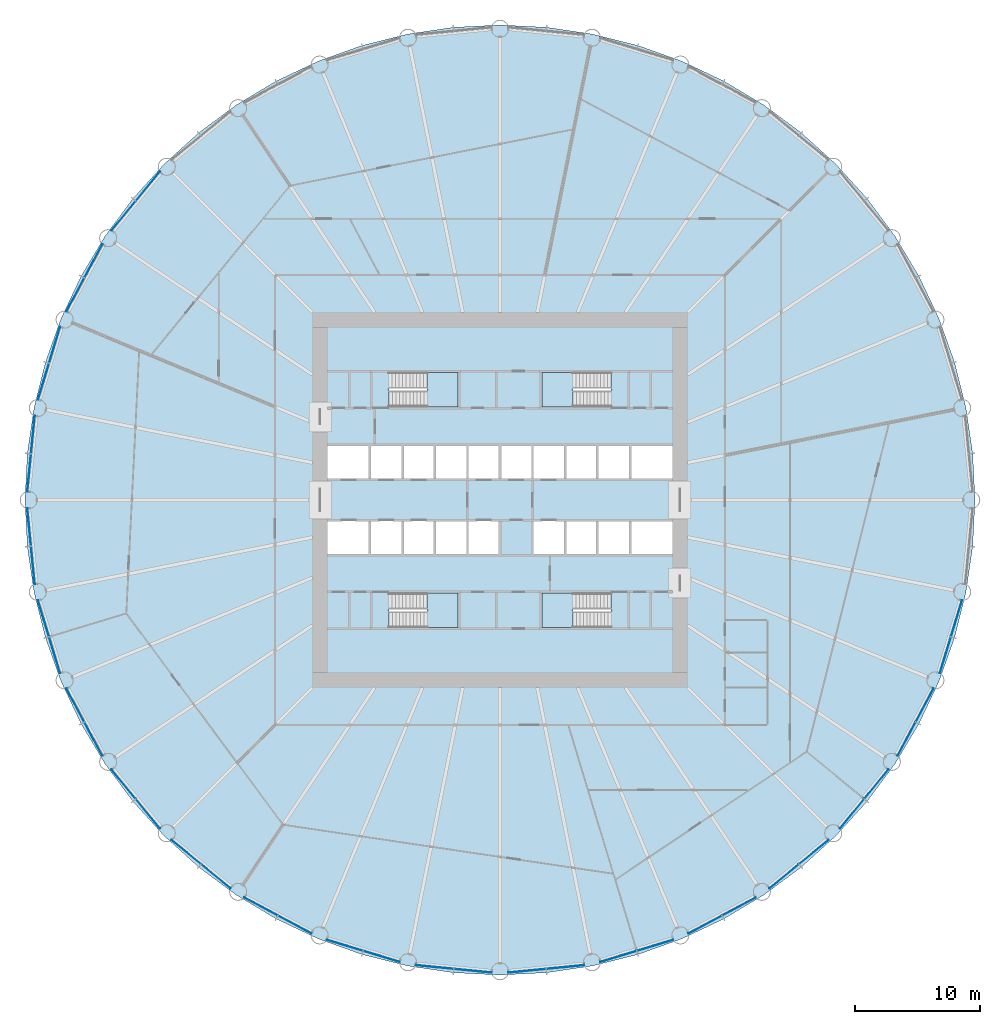
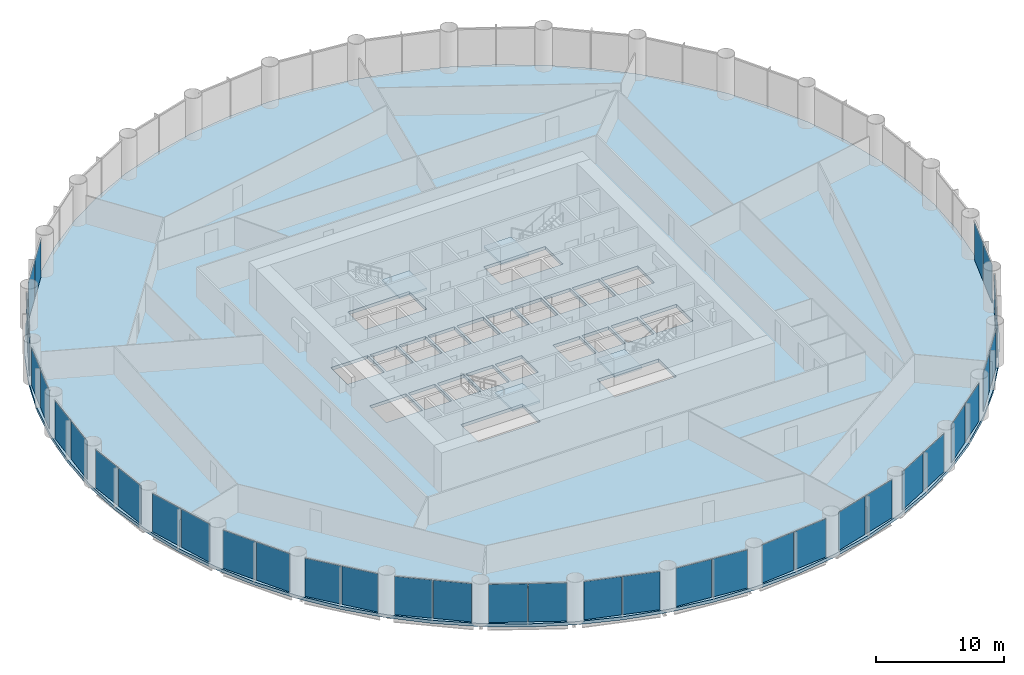
# One storey, part 8 of 15: 38 plates, 5 slabs, 23 elements without a shape of their own.
"""IFC4 building model written with IfcOpenShell, lengths in metres."""

from ifc_helpers import new_model, si_unit, direction, frame, origin, origin_2d, place, context, subcontext, project, spatial, polyline, rectangle, outline, extrude, material, layer, layer_set, type_object, element, aggregate, save


model = new_model("IFC4")

# Units and contexts
model_context = context("Model", 3, precision=1e-05, world=origin(), true_north=direction((0.0, 1.0)))
body_context = subcontext(model_context, "Body", "Model", "MODEL_VIEW")
ifc_project = project(units=[si_unit("LENGTHUNIT", "METRE"), si_unit("AREAUNIT", "SQUARE_METRE"), si_unit("VOLUMEUNIT", "CUBIC_METRE"), si_unit("PLANEANGLEUNIT", "RADIAN"), si_unit("MASSUNIT", "GRAM", prefix="KILO")], contexts=[model_context])

# Site, building, storey
site_placement = place(None, origin())
site = spatial("IfcSite", under=ifc_project, at=site_placement, CompositionType="ELEMENT")
building_placement = place(site_placement, origin())
building = spatial("IfcBuilding", under=site, at=building_placement, Name="Corvane Civic Tower", CompositionType="ELEMENT")
storey_placement = place(building_placement, frame((0.0, 0.0, 69.0)))
storey = spatial("IfcBuildingStorey", under=building, at=storey_placement, Name="L15", CompositionType="ELEMENT", Elevation=69.0)

# Slab
ifc_material_1 = material(Name="Concrete C40/50", Category="concrete")
ifc_layer_1 = layer(ifc_material_1, 0.300048828125)
ifc_layer_set_1 = layer_set([ifc_layer_1], Name="Concrete C40/50")
slab_type_1 = type_object("IfcSlabType", Name="FLOOR SLAB 300", PredefinedType="FLOOR", material=ifc_layer_set_1)
slab_1_placement = place(storey_placement, frame((0.0, 0.0, -0.300048828125)))
element("IfcSlab", 1, at=slab_1_placement, inside=storey, type_object=slab_type_1, Name="SLB-L15", PredefinedType="FLOOR", context=body_context, shape_type="SweptSolid", body=[
    extrude(outline(polyline([(0.0, 38.0), (-3.724609375, 37.817138671875), (-7.413330078125, 37.269775390625), (-11.03076171875, 36.36376953125), (-14.5419921875, 35.107421875), (-17.9130859375, 33.512939453125), (-21.111572265625, 31.595947265625), (-24.10693359375, 29.37451171875), (-26.8701171875, 26.8701171875), (-29.37451171875, 24.10693359375), (-31.595947265625, 21.111572265625), (-33.512939453125, 17.9130859375), (-35.107421875, 14.5419921875), (-36.36376953125, 11.03076171875), (-37.269775390625, 7.413330078125), (-37.817138671875, 3.724609375), (-38.0, 0.0), (-37.817138671875, -3.724609375), (-37.269775390625, -7.413330078125), (-36.36376953125, -11.03076171875), (-35.107421875, -14.5419921875), (-33.512939453125, -17.9130859375), (-31.595947265625, -21.111572265625), (-29.37451171875, -24.10693359375), (-26.8701171875, -26.8701171875), (-24.10693359375, -29.37451171875), (-21.111572265625, -31.595947265625), (-17.9130859375, -33.512939453125), (-14.5419921875, -35.107421875), (-11.03076171875, -36.36376953125), (-7.413330078125, -37.269775390625), (-3.724609375, -37.817138671875), (0.0, -38.0), (3.724609375, -37.817138671875), (7.413330078125, -37.269775390625), (11.03076171875, -36.36376953125), (14.5419921875, -35.107421875), (17.9130859375, -33.512939453125), (21.111572265625, -31.595947265625), (24.10693359375, -29.37451171875), (26.8701171875, -26.8701171875), (29.37451171875, -24.10693359375), (31.595947265625, -21.111572265625), (33.512939453125, -17.9130859375), (35.107421875, -14.5419921875), (36.36376953125, -11.03076171875), (37.269775390625, -7.413330078125), (37.817138671875, -3.724609375), (38.0, 0.0), (37.817138671875, 3.724609375), (37.269775390625, 7.413330078125), (36.36376953125, 11.03076171875), (35.107421875, 14.5419921875), (33.512939453125, 17.9130859375), (31.595947265625, 21.111572265625), (29.37451171875, 24.10693359375), (26.8701171875, 26.8701171875), (24.10693359375, 29.37451171875), (21.111572265625, 31.595947265625), (17.9130859375, 33.512939453125), (14.5419921875, 35.107421875), (11.03076171875, 36.36376953125), (7.413330078125, 37.269775390625), (3.724609375, 37.817138671875), (0.0, 38.0)]), holes=[polyline([(-13.800048828125, 4.300048828125), (-10.5, 4.300048828125), (-10.5, 1.699951171875), (-13.800048828125, 1.699951171875), (-13.800048828125, 4.300048828125)]), polyline([(-7.89990234375, 1.699951171875), (-10.300048828125, 1.699951171875), (-10.300048828125, 4.300048828125), (-7.89990234375, 4.300048828125), (-7.89990234375, 1.699951171875)]), polyline([(-7.699951171875, 4.300048828125), (-5.300048828125, 4.300048828125), (-5.300048828125, 1.699951171875), (-7.699951171875, 1.699951171875), (-7.699951171875, 4.300048828125)]), polyline([(-2.699951171875, 1.699951171875), (-5.10009765625, 1.699951171875), (-5.10009765625, 4.300048828125), (-2.699951171875, 4.300048828125), (-2.699951171875, 1.699951171875)]), polyline([(-2.5, 4.300048828125), (-0.10009765625, 4.300048828125), (-0.10009765625, 1.699951171875), (-2.5, 1.699951171875), (-2.5, 4.300048828125)]), polyline([(0.10009765625, 4.300048828125), (2.5, 4.300048828125), (2.5, 1.699951171875), (0.10009765625, 1.699951171875), (0.10009765625, 4.300048828125)]), polyline([(2.699951171875, 4.300048828125), (5.10009765625, 4.300048828125), (5.10009765625, 1.699951171875), (2.699951171875, 1.699951171875), (2.699951171875, 4.300048828125)]), polyline([(5.300048828125, 4.300048828125), (7.699951171875, 4.300048828125), (7.699951171875, 1.699951171875), (5.300048828125, 1.699951171875), (5.300048828125, 4.300048828125)]), polyline([(7.89990234375, 4.300048828125), (10.300048828125, 4.300048828125), (10.300048828125, 1.699951171875), (7.89990234375, 1.699951171875), (7.89990234375, 4.300048828125)]), polyline([(13.800048828125, 1.699951171875), (10.5, 1.699951171875), (10.5, 4.300048828125), (13.800048828125, 4.300048828125), (13.800048828125, 1.699951171875)]), polyline([(-13.800048828125, -1.699951171875), (-10.5, -1.699951171875), (-10.5, -4.300048828125), (-13.800048828125, -4.300048828125), (-13.800048828125, -1.699951171875)]), polyline([(-10.300048828125, -4.300048828125), (-10.300048828125, -1.699951171875), (-7.89990234375, -1.699951171875), (-7.89990234375, -4.300048828125), (-10.300048828125, -4.300048828125)]), polyline([(-7.699951171875, -1.699951171875), (-5.300048828125, -1.699951171875), (-5.300048828125, -4.300048828125), (-7.699951171875, -4.300048828125), (-7.699951171875, -1.699951171875)]), polyline([(-5.10009765625, -1.699951171875), (-2.699951171875, -1.699951171875), (-2.699951171875, -4.300048828125), (-5.10009765625, -4.300048828125), (-5.10009765625, -1.699951171875)]), polyline([(-2.5, -1.699951171875), (-0.10009765625, -1.699951171875), (-0.10009765625, -4.300048828125), (-2.5, -4.300048828125), (-2.5, -1.699951171875)]), polyline([(2.699951171875, -1.699951171875), (5.10009765625, -1.699951171875), (5.10009765625, -4.300048828125), (2.699951171875, -4.300048828125), (2.699951171875, -1.699951171875)]), polyline([(5.300048828125, -4.300048828125), (5.300048828125, -1.699951171875), (7.699951171875, -1.699951171875), (7.699951171875, -4.300048828125), (5.300048828125, -4.300048828125)]), polyline([(7.89990234375, -4.300048828125), (7.89990234375, -1.699951171875), (10.300048828125, -1.699951171875), (10.300048828125, -4.300048828125), (7.89990234375, -4.300048828125)]), polyline([(13.800048828125, -4.300048828125), (10.5, -4.300048828125), (10.5, -1.699951171875), (13.800048828125, -1.699951171875), (13.800048828125, -4.300048828125)]), polyline([(8.889892578125, 10.199951171875), (8.889892578125, 7.449951171875), (3.35009765625, 7.449951171875), (3.35009765625, 10.199951171875), (8.889892578125, 10.199951171875)]), polyline([(-8.889892578125, 7.449951171875), (-8.889892578125, 10.199951171875), (-3.35009765625, 10.199951171875), (-3.35009765625, 7.449951171875), (-8.889892578125, 7.449951171875)]), polyline([(8.889892578125, -7.449951171875), (8.889892578125, -10.199951171875), (3.35009765625, -10.199951171875), (3.35009765625, -7.449951171875), (8.889892578125, -7.449951171875)]), polyline([(-8.889892578125, -10.199951171875), (-8.889892578125, -7.449951171875), (-3.35009765625, -7.449951171875), (-3.35009765625, -10.199951171875), (-8.889892578125, -10.199951171875)])]), origin(), (0.0, 0.0, 1.0), 0.300048828125),
])

# Stair, slab
ifc_material_2 = material(Name="Concrete C40/50", Category="concrete")
stair_type = type_object("IfcStairType", Name="ST-STAIR-HALFTURN", PredefinedType="HALF_TURN_STAIR", material=ifc_material_2)
stair_1_placement = place(storey_placement, origin())
stair_1 = element("IfcStair", 2, at=stair_1_placement, inside=storey, type_object=stair_type, Name="L15 Exit stair ST1", PredefinedType="HALF_TURN_STAIR")
ifc_material_3 = material(Name="Concrete C40/50", Category="concrete")
ifc_layer_2 = layer(ifc_material_3, 0.199951171875)
ifc_layer_set_2 = layer_set([ifc_layer_2], Name="Concrete C40/50")
slab_type_2 = type_object("IfcSlabType", Name="ST-LANDING-RC", PredefinedType="LANDING", material=ifc_layer_set_2)
slab_2_placement = place(storey_placement, frame((0.0, 0.0, 1.800048828125)))
slab_2 = element("IfcSlab", 3, at=slab_2_placement, type_object=slab_type_2, Name="ST1 landing 1", PredefinedType="LANDING", context=body_context, shape_type="SweptSolid", body=[
    extrude(outline(polyline([(5.820068359375, 10.199951171875), (3.35009765625, 10.199951171875), (3.35009765625, 7.449951171875), (5.820068359375, 7.449951171875), (5.820068359375, 10.199951171875)])), origin(), (0.0, 0.0, 1.0), 0.199951171875),
])
aggregate(stair_1, [slab_2])

stair_2_placement = place(storey_placement, origin())
stair_2 = element("IfcStair", 4, at=stair_2_placement, inside=storey, type_object=stair_type, Name="L15 Exit stair ST2", PredefinedType="HALF_TURN_STAIR")
slab_3_placement = place(storey_placement, frame((0.0, 0.0, 1.800048828125)))
slab_3 = element("IfcSlab", 5, at=slab_3_placement, type_object=slab_type_2, Name="ST2 landing 1", PredefinedType="LANDING", context=body_context, shape_type="SweptSolid", body=[
    extrude(outline(polyline([(5.820068359375, -7.449951171875), (3.35009765625, -7.449951171875), (3.35009765625, -10.199951171875), (5.820068359375, -10.199951171875), (5.820068359375, -7.449951171875)])), origin(), (0.0, 0.0, 1.0), 0.199951171875),
])
aggregate(stair_2, [slab_3])

stair_3_placement = place(storey_placement, origin())
stair_3 = element("IfcStair", 6, at=stair_3_placement, inside=storey, type_object=stair_type, Name="L15 Exit stair ST3", PredefinedType="HALF_TURN_STAIR")
slab_4_placement = place(storey_placement, frame((0.0, 0.0, 1.800048828125)))
slab_4 = element("IfcSlab", 7, at=slab_4_placement, type_object=slab_type_2, Name="ST3 landing 1", PredefinedType="LANDING", context=body_context, shape_type="SweptSolid", body=[
    extrude(outline(polyline([(-5.820068359375, -10.199951171875), (-3.35009765625, -10.199951171875), (-3.35009765625, -7.449951171875), (-5.820068359375, -7.449951171875), (-5.820068359375, -10.199951171875)])), origin(), (0.0, 0.0, 1.0), 0.199951171875),
])
aggregate(stair_3, [slab_4])

stair_4_placement = place(storey_placement, origin())
stair_4 = element("IfcStair", 8, at=stair_4_placement, inside=storey, type_object=stair_type, Name="L15 Exit stair ST4", PredefinedType="HALF_TURN_STAIR")
slab_5_placement = place(storey_placement, frame((0.0, 0.0, 1.800048828125)))
slab_5 = element("IfcSlab", 9, at=slab_5_placement, type_object=slab_type_2, Name="ST4 landing 1", PredefinedType="LANDING", context=body_context, shape_type="SweptSolid", body=[
    extrude(outline(polyline([(-5.820068359375, 7.449951171875), (-3.35009765625, 7.449951171875), (-3.35009765625, 10.199951171875), (-5.820068359375, 10.199951171875), (-5.820068359375, 7.449951171875)])), origin(), (0.0, 0.0, 1.0), 0.199951171875),
])
aggregate(stair_4, [slab_5])

# Curtain wall, plates
ifc_material_4 = material(Name="Anodised aluminium bronze", Category="aluminium")
curtain_wall_type = type_object("IfcCurtainWallType", Name="TOWER CW-T1 STICK CURTAIN WALL", PredefinedType="NOTDEFINED", material=ifc_material_4)
curtain_wall_1_placement = place(storey_placement, origin())
curtain_wall_1 = element("IfcCurtainWall", 10, at=curtain_wall_1_placement, inside=storey, type_object=curtain_wall_type, Name="Curtain wall CW-T1 L15 bay 10", PredefinedType="NOTDEFINED")
ifc_material_5 = material(Name="Tinted glass", Category="glass")
ifc_layer_3 = layer(ifc_material_5, 0.035888671875)
ifc_layer_set_3 = layer_set([ifc_layer_3], Name="Tinted glass")
plate_type = type_object("IfcPlateType", Name="TOWER CW-T1 PANEL IGU36", PredefinedType="CURTAIN_PANEL", material=ifc_layer_set_3)
plate_1_placement = place(storey_placement, frame((36.522705078125, -9.46533203125, 0.0), z_axis=(0.0, 0.0, 1.0), x_axis=(-0.290278397654, -0.956942240606, 0.0)))
plate_1 = element("IfcPlate", 11, at=plate_1_placement, type_object=plate_type, Name="Glass panel CW-T1 L15 10.1", PredefinedType="CURTAIN_PANEL", context=body_context, shape_type="SweptSolid", body=[
    extrude(rectangle(XDim=3.008544921875, YDim=0.035888671875, at=origin_2d()), origin(), (0.0, 0.0, 1.0), 3.6298828125),
])
plate_2_placement = place(storey_placement, frame((35.6259765625, -12.4208984375, 0.0), z_axis=(0.0, 0.0, 1.0), x_axis=(-0.290278397654, -0.956942240606, 0.0)))
plate_2 = element("IfcPlate", 12, at=plate_2_placement, type_object=plate_type, Name="Glass panel CW-T1 L15 10.2", PredefinedType="CURTAIN_PANEL", context=body_context, shape_type="SweptSolid", body=[
    extrude(rectangle(XDim=3.008544921875, YDim=0.035888671875, at=origin_2d()), origin(), (0.0, 0.0, 1.0), 3.6298828125),
])
aggregate(curtain_wall_1, [plate_1, plate_2])

curtain_wall_2_placement = place(storey_placement, origin())
curtain_wall_2 = element("IfcCurtainWall", 13, at=curtain_wall_2_placement, inside=storey, type_object=curtain_wall_type, Name="Curtain wall CW-T1 L15 bay 11", PredefinedType="NOTDEFINED")
plate_3_placement = place(storey_placement, frame((33.974365234375, -16.40869140625, 0.0), z_axis=(0.0, 0.0, 1.0), x_axis=(-0.471403725359, -0.881917528864, 0.0)))
plate_3 = element("IfcPlate", 14, at=plate_3_placement, type_object=plate_type, Name="Glass panel CW-T1 L15 11.1", PredefinedType="CURTAIN_PANEL", context=body_context, shape_type="SweptSolid", body=[
    extrude(rectangle(XDim=3.008544921875, YDim=0.035888671875, at=origin_2d()), origin(), (0.0, 0.0, 1.0), 3.6298828125),
])
plate_4_placement = place(storey_placement, frame((32.518310546875, -19.132568359375, 0.0), z_axis=(0.0, 0.0, 1.0), x_axis=(-0.471403725359, -0.881917528864, 0.0)))
plate_4 = element("IfcPlate", 15, at=plate_4_placement, type_object=plate_type, Name="Glass panel CW-T1 L15 11.2", PredefinedType="CURTAIN_PANEL", context=body_context, shape_type="SweptSolid", body=[
    extrude(rectangle(XDim=3.008544921875, YDim=0.035888671875, at=origin_2d()), origin(), (0.0, 0.0, 1.0), 3.6298828125),
])
aggregate(curtain_wall_2, [plate_3, plate_4])

curtain_wall_3_placement = place(storey_placement, origin())
curtain_wall_3 = element("IfcCurtainWall", 16, at=curtain_wall_3_placement, inside=storey, type_object=curtain_wall_type, Name="Curtain wall CW-T1 L15 bay 12", PredefinedType="NOTDEFINED")
plate_5_placement = place(storey_placement, frame((30.120361328125, -22.721435546875, 0.0), z_axis=(0.0, 0.0, 1.0), x_axis=(-0.634397218569, -0.773007224463, 0.0)))
plate_5 = element("IfcPlate", 17, at=plate_5_placement, type_object=plate_type, Name="Glass panel CW-T1 L15 12.1", PredefinedType="CURTAIN_PANEL", context=body_context, shape_type="SweptSolid", body=[
    extrude(rectangle(XDim=3.008544921875, YDim=0.035888671875, at=origin_2d()), origin(), (0.0, 0.0, 1.0), 3.6298828125),
])
plate_6_placement = place(storey_placement, frame((28.160888671875, -25.10888671875, 0.0), z_axis=(0.0, 0.0, 1.0), x_axis=(-0.634397218569, -0.773007224463, 0.0)))
plate_6 = element("IfcPlate", 18, at=plate_6_placement, type_object=plate_type, Name="Glass panel CW-T1 L15 12.2", PredefinedType="CURTAIN_PANEL", context=body_context, shape_type="SweptSolid", body=[
    extrude(rectangle(XDim=3.008544921875, YDim=0.035888671875, at=origin_2d()), origin(), (0.0, 0.0, 1.0), 3.6298828125),
])
aggregate(curtain_wall_3, [plate_5, plate_6])

curtain_wall_4_placement = place(storey_placement, origin())
curtain_wall_4 = element("IfcCurtainWall", 19, at=curtain_wall_4_placement, inside=storey, type_object=curtain_wall_type, Name="Curtain wall CW-T1 L15 bay 13", PredefinedType="NOTDEFINED")
plate_7_placement = place(storey_placement, frame((25.10888671875, -28.160888671875, 0.0), z_axis=(0.0, 0.0, 1.0), x_axis=(-0.773007224463, -0.634397218569, 0.0)))
plate_7 = element("IfcPlate", 20, at=plate_7_placement, type_object=plate_type, Name="Glass panel CW-T1 L15 13.1", PredefinedType="CURTAIN_PANEL", context=body_context, shape_type="SweptSolid", body=[
    extrude(rectangle(XDim=3.008544921875, YDim=0.035888671875, at=origin_2d()), origin(), (0.0, 0.0, 1.0), 3.6298828125),
])
plate_8_placement = place(storey_placement, frame((22.721435546875, -30.120361328125, 0.0), z_axis=(0.0, 0.0, 1.0), x_axis=(-0.773007224463, -0.634397218569, 0.0)))
plate_8 = element("IfcPlate", 21, at=plate_8_placement, type_object=plate_type, Name="Glass panel CW-T1 L15 13.2", PredefinedType="CURTAIN_PANEL", context=body_context, shape_type="SweptSolid", body=[
    extrude(rectangle(XDim=3.008544921875, YDim=0.035888671875, at=origin_2d()), origin(), (0.0, 0.0, 1.0), 3.6298828125),
])
aggregate(curtain_wall_4, [plate_7, plate_8])

curtain_wall_5_placement = place(storey_placement, origin())
curtain_wall_5 = element("IfcCurtainWall", 22, at=curtain_wall_5_placement, inside=storey, type_object=curtain_wall_type, Name="Curtain wall CW-T1 L15 bay 14", PredefinedType="NOTDEFINED")
plate_9_placement = place(storey_placement, frame((19.132568359375, -32.518310546875, 0.0), z_axis=(0.0, 0.0, 1.0), x_axis=(-0.881917528864, -0.471403725359, 0.0)))
plate_9 = element("IfcPlate", 23, at=plate_9_placement, type_object=plate_type, Name="Glass panel CW-T1 L15 14.1", PredefinedType="CURTAIN_PANEL", context=body_context, shape_type="SweptSolid", body=[
    extrude(rectangle(XDim=3.008544921875, YDim=0.035888671875, at=origin_2d()), origin(), (0.0, 0.0, 1.0), 3.6298828125),
])
plate_10_placement = place(storey_placement, frame((16.40869140625, -33.974365234375, 0.0), z_axis=(0.0, 0.0, 1.0), x_axis=(-0.881917528864, -0.471403725359, 0.0)))
plate_10 = element("IfcPlate", 24, at=plate_10_placement, type_object=plate_type, Name="Glass panel CW-T1 L15 14.2", PredefinedType="CURTAIN_PANEL", context=body_context, shape_type="SweptSolid", body=[
    extrude(rectangle(XDim=3.008544921875, YDim=0.035888671875, at=origin_2d()), origin(), (0.0, 0.0, 1.0), 3.6298828125),
])
aggregate(curtain_wall_5, [plate_9, plate_10])

curtain_wall_6_placement = place(storey_placement, origin())
curtain_wall_6 = element("IfcCurtainWall", 25, at=curtain_wall_6_placement, inside=storey, type_object=curtain_wall_type, Name="Curtain wall CW-T1 L15 bay 15", PredefinedType="NOTDEFINED")
plate_11_placement = place(storey_placement, frame((12.4208984375, -35.6259765625, 0.0), z_axis=(0.0, 0.0, 1.0), x_axis=(-0.956942240606, -0.290278397654, 0.0)))
plate_11 = element("IfcPlate", 26, at=plate_11_placement, type_object=plate_type, Name="Glass panel CW-T1 L15 15.1", PredefinedType="CURTAIN_PANEL", context=body_context, shape_type="SweptSolid", body=[
    extrude(rectangle(XDim=3.008544921875, YDim=0.035888671875, at=origin_2d()), origin(), (0.0, 0.0, 1.0), 3.6298828125),
])
plate_12_placement = place(storey_placement, frame((9.46533203125, -36.522705078125, 0.0), z_axis=(0.0, 0.0, 1.0), x_axis=(-0.956942240606, -0.290278397654, 0.0)))
plate_12 = element("IfcPlate", 27, at=plate_12_placement, type_object=plate_type, Name="Glass panel CW-T1 L15 15.2", PredefinedType="CURTAIN_PANEL", context=body_context, shape_type="SweptSolid", body=[
    extrude(rectangle(XDim=3.008544921875, YDim=0.035888671875, at=origin_2d()), origin(), (0.0, 0.0, 1.0), 3.6298828125),
])
aggregate(curtain_wall_6, [plate_11, plate_12])

curtain_wall_7_placement = place(storey_placement, origin())
curtain_wall_7 = element("IfcCurtainWall", 28, at=curtain_wall_7_placement, inside=storey, type_object=curtain_wall_type, Name="Curtain wall CW-T1 L15 bay 16", PredefinedType="NOTDEFINED")
plate_13_placement = place(storey_placement, frame((5.23193359375, -37.36474609375, 0.0), z_axis=(0.0, 0.0, 1.0), x_axis=(-0.995185800248, -0.098006239521, 0.0)))
plate_13 = element("IfcPlate", 29, at=plate_13_placement, type_object=plate_type, Name="Glass panel CW-T1 L15 16.1", PredefinedType="CURTAIN_PANEL", context=body_context, shape_type="SweptSolid", body=[
    extrude(rectangle(XDim=3.008544921875, YDim=0.035888671875, at=origin_2d()), origin(), (0.0, 0.0, 1.0), 3.6298828125),
])
plate_14_placement = place(storey_placement, frame((2.158203125, -37.667236328125, 0.0), z_axis=(0.0, 0.0, 1.0), x_axis=(-0.995185800248, -0.098006239521, 0.0)))
plate_14 = element("IfcPlate", 30, at=plate_14_placement, type_object=plate_type, Name="Glass panel CW-T1 L15 16.2", PredefinedType="CURTAIN_PANEL", context=body_context, shape_type="SweptSolid", body=[
    extrude(rectangle(XDim=3.008544921875, YDim=0.035888671875, at=origin_2d()), origin(), (0.0, 0.0, 1.0), 3.6298828125),
])
aggregate(curtain_wall_7, [plate_13, plate_14])

curtain_wall_8_placement = place(storey_placement, origin())
curtain_wall_8 = element("IfcCurtainWall", 31, at=curtain_wall_8_placement, inside=storey, type_object=curtain_wall_type, Name="Curtain wall CW-T1 L15 bay 17", PredefinedType="NOTDEFINED")
plate_15_placement = place(storey_placement, frame((-2.158203125, -37.667236328125, 0.0), z_axis=(0.0, 0.0, 1.0), x_axis=(-0.995185800248, 0.098006239521, 0.0)))
plate_15 = element("IfcPlate", 32, at=plate_15_placement, type_object=plate_type, Name="Glass panel CW-T1 L15 17.1", PredefinedType="CURTAIN_PANEL", context=body_context, shape_type="SweptSolid", body=[
    extrude(rectangle(XDim=3.008544921875, YDim=0.035888671875, at=origin_2d()), origin(), (0.0, 0.0, 1.0), 3.6298828125),
])
plate_16_placement = place(storey_placement, frame((-5.23193359375, -37.36474609375, 0.0), z_axis=(0.0, 0.0, 1.0), x_axis=(-0.995185800248, 0.098006239521, 0.0)))
plate_16 = element("IfcPlate", 33, at=plate_16_placement, type_object=plate_type, Name="Glass panel CW-T1 L15 17.2", PredefinedType="CURTAIN_PANEL", context=body_context, shape_type="SweptSolid", body=[
    extrude(rectangle(XDim=3.008544921875, YDim=0.035888671875, at=origin_2d()), origin(), (0.0, 0.0, 1.0), 3.6298828125),
])
aggregate(curtain_wall_8, [plate_15, plate_16])

curtain_wall_9_placement = place(storey_placement, origin())
curtain_wall_9 = element("IfcCurtainWall", 34, at=curtain_wall_9_placement, inside=storey, type_object=curtain_wall_type, Name="Curtain wall CW-T1 L15 bay 18", PredefinedType="NOTDEFINED")
plate_17_placement = place(storey_placement, frame((-9.46533203125, -36.522705078125, 0.0), z_axis=(0.0, 0.0, 1.0), x_axis=(-0.956942240606, 0.290278397654, 0.0)))
plate_17 = element("IfcPlate", 35, at=plate_17_placement, type_object=plate_type, Name="Glass panel CW-T1 L15 18.1", PredefinedType="CURTAIN_PANEL", context=body_context, shape_type="SweptSolid", body=[
    extrude(rectangle(XDim=3.008544921875, YDim=0.035888671875, at=origin_2d()), origin(), (0.0, 0.0, 1.0), 3.6298828125),
])
plate_18_placement = place(storey_placement, frame((-12.4208984375, -35.6259765625, 0.0), z_axis=(0.0, 0.0, 1.0), x_axis=(-0.956942240606, 0.290278397654, 0.0)))
plate_18 = element("IfcPlate", 36, at=plate_18_placement, type_object=plate_type, Name="Glass panel CW-T1 L15 18.2", PredefinedType="CURTAIN_PANEL", context=body_context, shape_type="SweptSolid", body=[
    extrude(rectangle(XDim=3.008544921875, YDim=0.035888671875, at=origin_2d()), origin(), (0.0, 0.0, 1.0), 3.6298828125),
])
aggregate(curtain_wall_9, [plate_17, plate_18])

curtain_wall_10_placement = place(storey_placement, origin())
curtain_wall_10 = element("IfcCurtainWall", 37, at=curtain_wall_10_placement, inside=storey, type_object=curtain_wall_type, Name="Curtain wall CW-T1 L15 bay 19", PredefinedType="NOTDEFINED")
plate_19_placement = place(storey_placement, frame((-16.40869140625, -33.974365234375, 0.0), z_axis=(0.0, 0.0, 1.0), x_axis=(-0.881917528864, 0.471403725359, 0.0)))
plate_19 = element("IfcPlate", 38, at=plate_19_placement, type_object=plate_type, Name="Glass panel CW-T1 L15 19.1", PredefinedType="CURTAIN_PANEL", context=body_context, shape_type="SweptSolid", body=[
    extrude(rectangle(XDim=3.008544921875, YDim=0.035888671875, at=origin_2d()), origin(), (0.0, 0.0, 1.0), 3.6298828125),
])
plate_20_placement = place(storey_placement, frame((-19.132568359375, -32.518310546875, 0.0), z_axis=(0.0, 0.0, 1.0), x_axis=(-0.881917528864, 0.471403725359, 0.0)))
plate_20 = element("IfcPlate", 39, at=plate_20_placement, type_object=plate_type, Name="Glass panel CW-T1 L15 19.2", PredefinedType="CURTAIN_PANEL", context=body_context, shape_type="SweptSolid", body=[
    extrude(rectangle(XDim=3.008544921875, YDim=0.035888671875, at=origin_2d()), origin(), (0.0, 0.0, 1.0), 3.6298828125),
])
aggregate(curtain_wall_10, [plate_19, plate_20])

curtain_wall_11_placement = place(storey_placement, origin())
curtain_wall_11 = element("IfcCurtainWall", 40, at=curtain_wall_11_placement, inside=storey, type_object=curtain_wall_type, Name="Curtain wall CW-T1 L15 bay 20", PredefinedType="NOTDEFINED")
plate_21_placement = place(storey_placement, frame((-22.721435546875, -30.120361328125, 0.0), z_axis=(0.0, 0.0, 1.0), x_axis=(-0.773007224463, 0.634397218569, 0.0)))
plate_21 = element("IfcPlate", 41, at=plate_21_placement, type_object=plate_type, Name="Glass panel CW-T1 L15 20.1", PredefinedType="CURTAIN_PANEL", context=body_context, shape_type="SweptSolid", body=[
    extrude(rectangle(XDim=3.008544921875, YDim=0.035888671875, at=origin_2d()), origin(), (0.0, 0.0, 1.0), 3.6298828125),
])
plate_22_placement = place(storey_placement, frame((-25.10888671875, -28.160888671875, 0.0), z_axis=(0.0, 0.0, 1.0), x_axis=(-0.773007224463, 0.634397218569, 0.0)))
plate_22 = element("IfcPlate", 42, at=plate_22_placement, type_object=plate_type, Name="Glass panel CW-T1 L15 20.2", PredefinedType="CURTAIN_PANEL", context=body_context, shape_type="SweptSolid", body=[
    extrude(rectangle(XDim=3.008544921875, YDim=0.035888671875, at=origin_2d()), origin(), (0.0, 0.0, 1.0), 3.6298828125),
])
aggregate(curtain_wall_11, [plate_21, plate_22])

curtain_wall_12_placement = place(storey_placement, origin())
curtain_wall_12 = element("IfcCurtainWall", 43, at=curtain_wall_12_placement, inside=storey, type_object=curtain_wall_type, Name="Curtain wall CW-T1 L15 bay 21", PredefinedType="NOTDEFINED")
plate_23_placement = place(storey_placement, frame((-28.160888671875, -25.10888671875, 0.0), z_axis=(0.0, 0.0, 1.0), x_axis=(-0.634397218569, 0.773007224463, 0.0)))
plate_23 = element("IfcPlate", 44, at=plate_23_placement, type_object=plate_type, Name="Glass panel CW-T1 L15 21.1", PredefinedType="CURTAIN_PANEL", context=body_context, shape_type="SweptSolid", body=[
    extrude(rectangle(XDim=3.008544921875, YDim=0.035888671875, at=origin_2d()), origin(), (0.0, 0.0, 1.0), 3.6298828125),
])
plate_24_placement = place(storey_placement, frame((-30.120361328125, -22.721435546875, 0.0), z_axis=(0.0, 0.0, 1.0), x_axis=(-0.634397218569, 0.773007224463, 0.0)))
plate_24 = element("IfcPlate", 45, at=plate_24_placement, type_object=plate_type, Name="Glass panel CW-T1 L15 21.2", PredefinedType="CURTAIN_PANEL", context=body_context, shape_type="SweptSolid", body=[
    extrude(rectangle(XDim=3.008544921875, YDim=0.035888671875, at=origin_2d()), origin(), (0.0, 0.0, 1.0), 3.6298828125),
])
aggregate(curtain_wall_12, [plate_23, plate_24])

curtain_wall_13_placement = place(storey_placement, origin())
curtain_wall_13 = element("IfcCurtainWall", 46, at=curtain_wall_13_placement, inside=storey, type_object=curtain_wall_type, Name="Curtain wall CW-T1 L15 bay 22", PredefinedType="NOTDEFINED")
plate_25_placement = place(storey_placement, frame((-32.518310546875, -19.132568359375, 0.0), z_axis=(0.0, 0.0, 1.0), x_axis=(-0.471403725359, 0.881917528864, 0.0)))
plate_25 = element("IfcPlate", 47, at=plate_25_placement, type_object=plate_type, Name="Glass panel CW-T1 L15 22.1", PredefinedType="CURTAIN_PANEL", context=body_context, shape_type="SweptSolid", body=[
    extrude(rectangle(XDim=3.008544921875, YDim=0.035888671875, at=origin_2d()), origin(), (0.0, 0.0, 1.0), 3.6298828125),
])
plate_26_placement = place(storey_placement, frame((-33.974365234375, -16.40869140625, 0.0), z_axis=(0.0, 0.0, 1.0), x_axis=(-0.471403725359, 0.881917528864, 0.0)))
plate_26 = element("IfcPlate", 48, at=plate_26_placement, type_object=plate_type, Name="Glass panel CW-T1 L15 22.2", PredefinedType="CURTAIN_PANEL", context=body_context, shape_type="SweptSolid", body=[
    extrude(rectangle(XDim=3.008544921875, YDim=0.035888671875, at=origin_2d()), origin(), (0.0, 0.0, 1.0), 3.6298828125),
])
aggregate(curtain_wall_13, [plate_25, plate_26])

curtain_wall_14_placement = place(storey_placement, origin())
curtain_wall_14 = element("IfcCurtainWall", 49, at=curtain_wall_14_placement, inside=storey, type_object=curtain_wall_type, Name="Curtain wall CW-T1 L15 bay 23", PredefinedType="NOTDEFINED")
plate_27_placement = place(storey_placement, frame((-35.6259765625, -12.4208984375, 0.0), z_axis=(0.0, 0.0, 1.0), x_axis=(-0.290278397654, 0.956942240606, 0.0)))
plate_27 = element("IfcPlate", 50, at=plate_27_placement, type_object=plate_type, Name="Glass panel CW-T1 L15 23.1", PredefinedType="CURTAIN_PANEL", context=body_context, shape_type="SweptSolid", body=[
    extrude(rectangle(XDim=3.008544921875, YDim=0.035888671875, at=origin_2d()), origin(), (0.0, 0.0, 1.0), 3.6298828125),
])
plate_28_placement = place(storey_placement, frame((-36.522705078125, -9.46533203125, 0.0), z_axis=(0.0, 0.0, 1.0), x_axis=(-0.290278397654, 0.956942240606, 0.0)))
plate_28 = element("IfcPlate", 51, at=plate_28_placement, type_object=plate_type, Name="Glass panel CW-T1 L15 23.2", PredefinedType="CURTAIN_PANEL", context=body_context, shape_type="SweptSolid", body=[
    extrude(rectangle(XDim=3.008544921875, YDim=0.035888671875, at=origin_2d()), origin(), (0.0, 0.0, 1.0), 3.6298828125),
])
aggregate(curtain_wall_14, [plate_27, plate_28])

curtain_wall_15_placement = place(storey_placement, origin())
curtain_wall_15 = element("IfcCurtainWall", 52, at=curtain_wall_15_placement, inside=storey, type_object=curtain_wall_type, Name="Curtain wall CW-T1 L15 bay 24", PredefinedType="NOTDEFINED")
plate_29_placement = place(storey_placement, frame((-37.36474609375, -5.23193359375, 0.0), z_axis=(0.0, 0.0, 1.0), x_axis=(-0.098006239521, 0.995185800248, 0.0)))
plate_29 = element("IfcPlate", 53, at=plate_29_placement, type_object=plate_type, Name="Glass panel CW-T1 L15 24.1", PredefinedType="CURTAIN_PANEL", context=body_context, shape_type="SweptSolid", body=[
    extrude(rectangle(XDim=3.008544921875, YDim=0.035888671875, at=origin_2d()), origin(), (0.0, 0.0, 1.0), 3.6298828125),
])
plate_30_placement = place(storey_placement, frame((-37.667236328125, -2.158203125, 0.0), z_axis=(0.0, 0.0, 1.0), x_axis=(-0.098006239521, 0.995185800248, 0.0)))
plate_30 = element("IfcPlate", 54, at=plate_30_placement, type_object=plate_type, Name="Glass panel CW-T1 L15 24.2", PredefinedType="CURTAIN_PANEL", context=body_context, shape_type="SweptSolid", body=[
    extrude(rectangle(XDim=3.008544921875, YDim=0.035888671875, at=origin_2d()), origin(), (0.0, 0.0, 1.0), 3.6298828125),
])
aggregate(curtain_wall_15, [plate_29, plate_30])

curtain_wall_16_placement = place(storey_placement, origin())
curtain_wall_16 = element("IfcCurtainWall", 55, at=curtain_wall_16_placement, inside=storey, type_object=curtain_wall_type, Name="Curtain wall CW-T1 L15 bay 25", PredefinedType="NOTDEFINED")
plate_31_placement = place(storey_placement, frame((-37.667236328125, 2.158203125, 0.0), z_axis=(0.0, 0.0, 1.0), x_axis=(0.098006239521, 0.995185800248, 0.0)))
plate_31 = element("IfcPlate", 56, at=plate_31_placement, type_object=plate_type, Name="Glass panel CW-T1 L15 25.1", PredefinedType="CURTAIN_PANEL", context=body_context, shape_type="SweptSolid", body=[
    extrude(rectangle(XDim=3.008544921875, YDim=0.035888671875, at=origin_2d()), origin(), (0.0, 0.0, 1.0), 3.6298828125),
])
plate_32_placement = place(storey_placement, frame((-37.36474609375, 5.23193359375, 0.0), z_axis=(0.0, 0.0, 1.0), x_axis=(0.098006239521, 0.995185800248, 0.0)))
plate_32 = element("IfcPlate", 57, at=plate_32_placement, type_object=plate_type, Name="Glass panel CW-T1 L15 25.2", PredefinedType="CURTAIN_PANEL", context=body_context, shape_type="SweptSolid", body=[
    extrude(rectangle(XDim=3.008544921875, YDim=0.035888671875, at=origin_2d()), origin(), (0.0, 0.0, 1.0), 3.6298828125),
])
aggregate(curtain_wall_16, [plate_31, plate_32])

curtain_wall_17_placement = place(storey_placement, origin())
curtain_wall_17 = element("IfcCurtainWall", 58, at=curtain_wall_17_placement, inside=storey, type_object=curtain_wall_type, Name="Curtain wall CW-T1 L15 bay 26", PredefinedType="NOTDEFINED")
plate_33_placement = place(storey_placement, frame((-36.522705078125, 9.46533203125, 0.0), z_axis=(0.0, 0.0, 1.0), x_axis=(0.290278397654, 0.956942240606, 0.0)))
plate_33 = element("IfcPlate", 59, at=plate_33_placement, type_object=plate_type, Name="Glass panel CW-T1 L15 26.1", PredefinedType="CURTAIN_PANEL", context=body_context, shape_type="SweptSolid", body=[
    extrude(rectangle(XDim=3.008544921875, YDim=0.035888671875, at=origin_2d()), origin(), (0.0, 0.0, 1.0), 3.6298828125),
])
plate_34_placement = place(storey_placement, frame((-35.6259765625, 12.4208984375, 0.0), z_axis=(0.0, 0.0, 1.0), x_axis=(0.290278397654, 0.956942240606, 0.0)))
plate_34 = element("IfcPlate", 60, at=plate_34_placement, type_object=plate_type, Name="Glass panel CW-T1 L15 26.2", PredefinedType="CURTAIN_PANEL", context=body_context, shape_type="SweptSolid", body=[
    extrude(rectangle(XDim=3.008544921875, YDim=0.035888671875, at=origin_2d()), origin(), (0.0, 0.0, 1.0), 3.6298828125),
])
aggregate(curtain_wall_17, [plate_33, plate_34])

curtain_wall_18_placement = place(storey_placement, origin())
curtain_wall_18 = element("IfcCurtainWall", 61, at=curtain_wall_18_placement, inside=storey, type_object=curtain_wall_type, Name="Curtain wall CW-T1 L15 bay 27", PredefinedType="NOTDEFINED")
plate_35_placement = place(storey_placement, frame((-33.974365234375, 16.40869140625, 0.0), z_axis=(0.0, 0.0, 1.0), x_axis=(0.471403725359, 0.881917528864, 0.0)))
plate_35 = element("IfcPlate", 62, at=plate_35_placement, type_object=plate_type, Name="Glass panel CW-T1 L15 27.1", PredefinedType="CURTAIN_PANEL", context=body_context, shape_type="SweptSolid", body=[
    extrude(rectangle(XDim=3.008544921875, YDim=0.035888671875, at=origin_2d()), origin(), (0.0, 0.0, 1.0), 3.6298828125),
])
plate_36_placement = place(storey_placement, frame((-32.518310546875, 19.132568359375, 0.0), z_axis=(0.0, 0.0, 1.0), x_axis=(0.471403725359, 0.881917528864, 0.0)))
plate_36 = element("IfcPlate", 63, at=plate_36_placement, type_object=plate_type, Name="Glass panel CW-T1 L15 27.2", PredefinedType="CURTAIN_PANEL", context=body_context, shape_type="SweptSolid", body=[
    extrude(rectangle(XDim=3.008544921875, YDim=0.035888671875, at=origin_2d()), origin(), (0.0, 0.0, 1.0), 3.6298828125),
])
aggregate(curtain_wall_18, [plate_35, plate_36])

curtain_wall_19_placement = place(storey_placement, origin())
curtain_wall_19 = element("IfcCurtainWall", 64, at=curtain_wall_19_placement, inside=storey, type_object=curtain_wall_type, Name="Curtain wall CW-T1 L15 bay 28", PredefinedType="NOTDEFINED")
plate_37_placement = place(storey_placement, frame((-30.120361328125, 22.721435546875, 0.0), z_axis=(0.0, 0.0, 1.0), x_axis=(0.634397218569, 0.773007224463, 0.0)))
plate_37 = element("IfcPlate", 65, at=plate_37_placement, type_object=plate_type, Name="Glass panel CW-T1 L15 28.1", PredefinedType="CURTAIN_PANEL", context=body_context, shape_type="SweptSolid", body=[
    extrude(rectangle(XDim=3.008544921875, YDim=0.035888671875, at=origin_2d()), origin(), (0.0, 0.0, 1.0), 3.6298828125),
])
plate_38_placement = place(storey_placement, frame((-28.160888671875, 25.10888671875, 0.0), z_axis=(0.0, 0.0, 1.0), x_axis=(0.634397218569, 0.773007224463, 0.0)))
plate_38 = element("IfcPlate", 66, at=plate_38_placement, type_object=plate_type, Name="Glass panel CW-T1 L15 28.2", PredefinedType="CURTAIN_PANEL", context=body_context, shape_type="SweptSolid", body=[
    extrude(rectangle(XDim=3.008544921875, YDim=0.035888671875, at=origin_2d()), origin(), (0.0, 0.0, 1.0), 3.6298828125),
])
aggregate(curtain_wall_19, [plate_37, plate_38])

save(model, "model.ifc")
